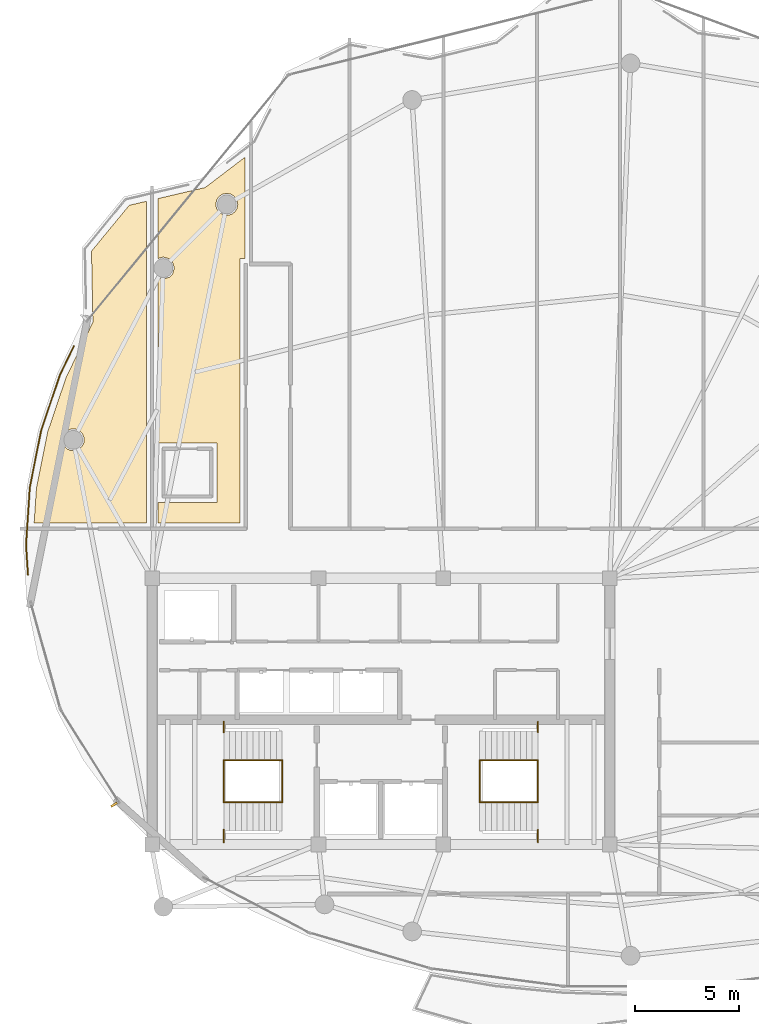
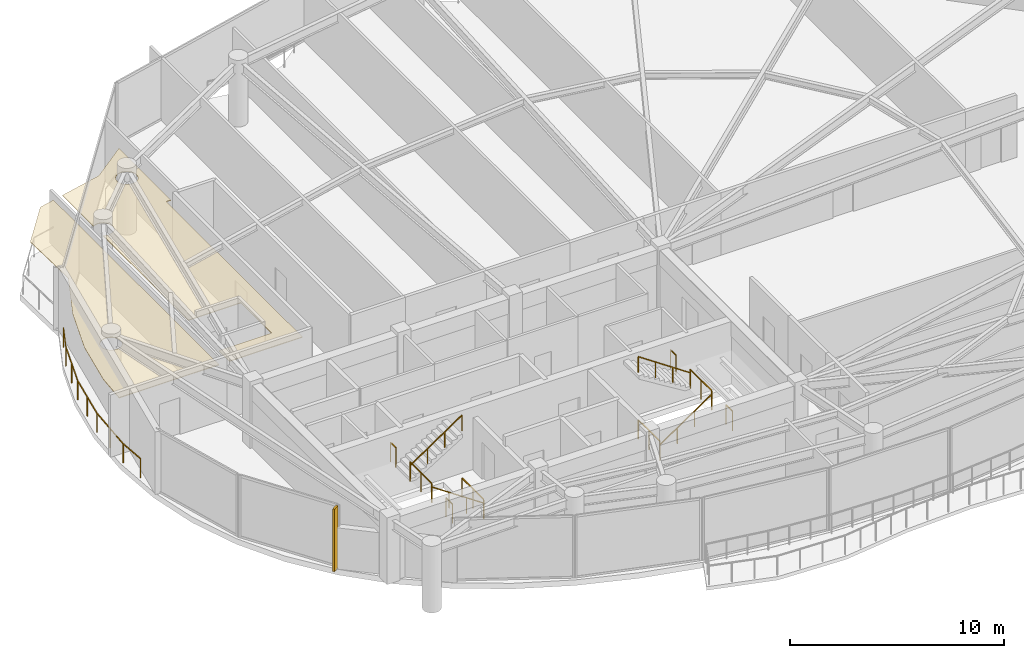
# One storey, part 27 of 29: 13 railings, 2 coverings, 1 shading device.
"""IFC4 building model written with IfcOpenShell, lengths in metres."""

from ifc_helpers import new_model, si_unit, direction, frame, origin, origin_2d, place, context, subcontext, project, spatial, polyline, rectangle, outline, extrude, material, layer, layer_set, type_object, element, save


model = new_model("IFC4")

# Units and contexts
model_context = context("Model", 3, precision=1e-05, world=origin(), true_north=direction((0.0, 1.0)))
body_context = subcontext(model_context, "Body", "Model", "MODEL_VIEW")
ifc_project = project(units=[si_unit("LENGTHUNIT", "METRE"), si_unit("AREAUNIT", "SQUARE_METRE"), si_unit("VOLUMEUNIT", "CUBIC_METRE"), si_unit("PLANEANGLEUNIT", "RADIAN"), si_unit("MASSUNIT", "GRAM", prefix="KILO")], contexts=[model_context])

# Site, building, storey
site_placement = place(None, origin())
site = spatial("IfcSite", under=ifc_project, at=site_placement, CompositionType="ELEMENT")
building_placement = place(site_placement, origin())
building = spatial("IfcBuilding", under=site, at=building_placement, Name="Kazevale Care Tower and Concert Hall", CompositionType="ELEMENT")
storey_placement = place(building_placement, frame((0.0, 0.0, 281.39990234375)))
storey = spatial("IfcBuildingStorey", under=building, at=storey_placement, Name="L74", CompositionType="ELEMENT", Elevation=281.39990234375)

# Coverings
ifc_material_1 = material(Name="Acoustic Plaster and Hinoki Wood", Category="wood")
ifc_layer = layer(ifc_material_1, 0.0400390625)
ifc_layer_set = layer_set([ifc_layer], Name="Acoustic Plaster and Hinoki Wood")
covering_type = type_object("IfcCoveringType", Name="Acoustic Perforated Wood-Gypsum Ceiling", PredefinedType="CEILING", material=ifc_layer_set)
covering_1_placement = place(storey_placement, frame((0.0, 0.0, 2.91015625)))
element("IfcCovering", 1, at=covering_1_placement, inside=storey, type_object=covering_type, Name="clg:L74:1", PredefinedType="CEILING", context=body_context, shape_type="SweptSolid", body=[
    extrude(outline(polyline([(16.97705078125, 43.422119140625), (17.864990234375, 46.049072265625), (19.154052734375, 48.701904296875), (19.087890625, 52.1240234375), (20.902099609375, 54.327880859375), (21.719970703125, 54.51904296875), (21.719970703125, 39.054931640625), (16.330078125, 39.054931640625), (16.44091796875, 40.72802734375), (16.97705078125, 43.422119140625)]), holes=[polyline([(18.72998046875, 43.153076171875), (18.65087890625, 43.343994140625), (18.50390625, 43.490966796875), (18.31298828125, 43.570068359375), (18.10693359375, 43.570068359375), (17.916015625, 43.490966796875), (17.76904296875, 43.343994140625), (17.68994140625, 43.153076171875), (17.68994140625, 42.947021484375), (17.76904296875, 42.756103515625), (17.916015625, 42.60888671875), (18.10693359375, 42.530029296875), (18.31298828125, 42.530029296875), (18.50390625, 42.60888671875), (18.65087890625, 42.756103515625), (18.72998046875, 42.947021484375), (18.72998046875, 43.153076171875)])]), origin(), (0.0, 0.0, 1.0), 0.0400390625),
])
covering_2_placement = place(storey_placement, frame((0.0, 0.0, 2.91015625)))
element("IfcCovering", 2, at=covering_2_placement, inside=storey, type_object=covering_type, Name="clg:L74:2", PredefinedType="CEILING", context=body_context, shape_type="SweptSolid", body=[
    extrude(outline(polyline([(25.1298828125, 42.905029296875), (22.280029296875, 42.905029296875), (22.280029296875, 50.85107421875), (22.5400390625, 50.780029296875), (22.833984375, 50.868896484375), (22.98095703125, 51.01611328125), (23.070068359375, 51.31005859375), (22.98095703125, 51.60400390625), (22.833984375, 51.7509765625), (22.5400390625, 51.840087890625), (22.280029296875, 51.76904296875), (22.280029296875, 54.64990234375), (24.552978515625, 55.180908203125), (26.469970703125, 56.64208984375), (26.469970703125, 51.780029296875), (26.219970703125, 51.780029296875), (26.219970703125, 39.054931640625), (22.280029296875, 39.054931640625), (22.280029296875, 40.044921875), (25.1298828125, 40.044921875), (25.1298828125, 42.905029296875)]), holes=[polyline([(26.080078125, 54.572998046875), (25.965087890625, 54.7451171875), (25.79296875, 54.860107421875), (25.590087890625, 54.89990234375), (25.386962890625, 54.860107421875), (25.215087890625, 54.7451171875), (25.10009765625, 54.572998046875), (25.06005859375, 54.3701171875), (25.10009765625, 54.1669921875), (25.215087890625, 53.9951171875), (25.386962890625, 53.8798828125), (25.590087890625, 53.840087890625), (25.79296875, 53.8798828125), (25.965087890625, 53.9951171875), (26.080078125, 54.1669921875), (26.1201171875, 54.3701171875), (26.080078125, 54.572998046875)])]), origin(), (0.0, 0.0, 1.0), 0.0400390625),
])

# Railings
ifc_material_2 = material(Name="Anodised Bronze Aluminium and Laminated Glass", Category="aluminium")
railing_type_1 = type_object("IfcRailingType", Name="Balcony and Terrace Balustrade 1120", PredefinedType="BALUSTRADE", material=ifc_material_2)
railing_1_placement = place(storey_placement, frame((16.035888671875, 36.556884765625, 0.0)))
element("IfcRailing", 3, at=railing_1_placement, inside=storey, type_object=railing_type_1, Name="rail:L74:perim:1", PredefinedType="BALUSTRADE", context=body_context, shape_type="SweptSolid", body=[
    extrude(rectangle(XDim=0.048095703125, YDim=0.048095703125, at=origin_2d()), frame((0.0, 0.0, 1.09619140625), z_axis=(-0.066339749167, 0.997797092439, 0.0), x_axis=(-0.997797092439, -0.066339749167, 0.0)), (0.0, 0.0, 1.0), 1.4462890625),
    extrude(rectangle(XDim=0.048095703125, YDim=0.048095703125, at=origin_2d()), frame((-0.095947265625, 1.443115234375, 1.09619140625), z_axis=(0.065958643417, 0.997822357616, 0.0), x_axis=(-0.997822357616, 0.065958643417, 0.0)), (0.0, 0.0, 1.0), 2.776123046875),
    extrude(rectangle(XDim=0.048095703125, YDim=0.048095703125, at=origin_2d()), frame((0.087158203125, 4.213134765625, 1.09619140625), z_axis=(0.195408959087, 0.980721845738, 0.0), x_axis=(-0.980721845738, 0.195408959087, 0.0)), (0.0, 0.0, 1.0), 2.78857421875),
    extrude(rectangle(XDim=0.048095703125, YDim=0.048095703125, at=origin_2d()), frame((0.632080078125, 6.947998046875, 1.09619140625), z_axis=(0.31989547797, 0.947452839552, 0.0), x_axis=(-0.947452839552, 0.31989547797, 0.0)), (0.0, 0.0, 1.0), 2.81396484375),
    extrude(rectangle(XDim=0.048095703125, YDim=0.048095703125, at=origin_2d()), frame((1.5322265625, 9.614013671875, 1.09619140625), z_axis=(0.436955052618, 0.899483341698, 0.0), x_axis=(-0.899483341698, 0.436955052618, 0.0)), (0.0, 0.0, 1.0), 1.546630859375),
    extrude(rectangle(XDim=0.0419921875, YDim=0.0419921875, at=origin_2d()), origin(), (0.0, 0.0, 1.0), 1.072021484375),
    extrude(rectangle(XDim=0.0419921875, YDim=0.0419921875, at=origin_2d()), frame((-0.095947265625, 1.443115234375, 0.0)), (0.0, 0.0, 1.0), 1.072021484375),
    extrude(rectangle(XDim=0.0419921875, YDim=0.0419921875, at=origin_2d()), frame((-0.00439453125, 2.828125, 0.0)), (0.0, 0.0, 1.0), 1.072021484375),
    extrude(rectangle(XDim=0.0419921875, YDim=0.0419921875, at=origin_2d()), frame((0.087158203125, 4.213134765625, 0.0)), (0.0, 0.0, 1.0), 1.072021484375),
    extrude(rectangle(XDim=0.0419921875, YDim=0.0419921875, at=origin_2d()), frame((0.359619140625, 5.58056640625, 0.0)), (0.0, 0.0, 1.0), 1.072021484375),
    extrude(rectangle(XDim=0.0419921875, YDim=0.0419921875, at=origin_2d()), frame((0.632080078125, 6.947998046875, 0.0)), (0.0, 0.0, 1.0), 1.072021484375),
    extrude(rectangle(XDim=0.0419921875, YDim=0.0419921875, at=origin_2d()), frame((1.08203125, 8.281005859375, 0.0)), (0.0, 0.0, 1.0), 1.072021484375),
    extrude(rectangle(XDim=0.0419921875, YDim=0.0419921875, at=origin_2d()), frame((1.5322265625, 9.614013671875, 0.0)), (0.0, 0.0, 1.0), 1.072021484375),
    extrude(rectangle(XDim=0.0419921875, YDim=0.0419921875, at=origin_2d()), frame((2.2080078125, 11.005126953125, 0.0)), (0.0, 0.0, 1.0), 1.072021484375),
])
ifc_material_3 = material(Name="Stainless Steel 316", Category="steel")
railing_type_2 = type_object("IfcRailingType", Name="Stair Pitch Handrail 920", PredefinedType="HANDRAIL", material=ifc_material_3)
railing_2_placement = place(storey_placement, frame((28.25, 25.639892578125, 0.0)))
element("IfcRailing", 4, at=railing_2_placement, inside=storey, type_object=railing_type_2, Name="stair:L74:ST1:hr1", PredefinedType="HANDRAIL", context=body_context, shape_type="SweptSolid", body=[
    extrude(rectangle(XDim=0.048095703125, YDim=0.048095703125, at=origin_2d()), frame((0.0, 0.0, 0.89599609375), z_axis=(-0.827460210367, 0.0, 0.56152435411), x_axis=(0.0, -1.0, 0.0)), (0.0, 0.0, 1.0), 3.3837890625),
    extrude(rectangle(XDim=0.0419921875, YDim=0.0419921875, at=origin_2d()), origin(), (0.0, 0.0, 1.0), 0.871826171875),
    extrude(rectangle(XDim=0.0419921875, YDim=0.0419921875, at=origin_2d()), frame((-0.933349609375, 0.0, 0.63330078125)), (0.0, 0.0, 1.0), 0.871826171875),
    extrude(rectangle(XDim=0.0419921875, YDim=0.0419921875, at=origin_2d()), frame((-1.86669921875, 0.0, 1.266845703125)), (0.0, 0.0, 1.0), 0.871826171875),
    extrude(rectangle(XDim=0.0419921875, YDim=0.0419921875, at=origin_2d()), frame((-2.800048828125, 0.0, 1.900146484375)), (0.0, 0.0, 1.0), 0.871826171875),
])
railing_3_placement = place(storey_placement, frame((25.449951171875, 27.659912109375, 1.900146484375)))
element("IfcRailing", 5, at=railing_3_placement, inside=storey, type_object=railing_type_2, Name="stair:L74:ST1:hr2", PredefinedType="HANDRAIL", context=body_context, shape_type="SweptSolid", body=[
    extrude(rectangle(XDim=0.048095703125, YDim=0.048095703125, at=origin_2d()), frame((0.0, 0.0, 0.89599609375), z_axis=(0.827493732819, 0.0, 0.561474952376), x_axis=(0.0, 1.0, 0.0)), (0.0, 0.0, 1.0), 3.3837890625),
    extrude(rectangle(XDim=0.0419921875, YDim=0.0419921875, at=origin_2d()), origin(), (0.0, 0.0, 1.0), 0.871826171875),
    extrude(rectangle(XDim=0.0419921875, YDim=0.0419921875, at=origin_2d()), frame((0.933349609375, 0.0, 0.63330078125)), (0.0, 0.0, 1.0), 0.871826171875),
    extrude(rectangle(XDim=0.0419921875, YDim=0.0419921875, at=origin_2d()), frame((1.86669921875, 0.0, 1.2666015625)), (0.0, 0.0, 1.0), 0.871826171875),
    extrude(rectangle(XDim=0.0419921875, YDim=0.0419921875, at=origin_2d()), frame((2.800048828125, 0.0, 1.89990234375)), (0.0, 0.0, 1.0), 0.871826171875),
])
railing_4_placement = place(storey_placement, frame((37.75, 25.639892578125, 0.0)))
element("IfcRailing", 6, at=railing_4_placement, inside=storey, type_object=railing_type_2, Name="stair:L74:ST2:hr1", PredefinedType="HANDRAIL", context=body_context, shape_type="SweptSolid", body=[
    extrude(rectangle(XDim=0.048095703125, YDim=0.048095703125, at=origin_2d()), frame((0.0, 0.0, 0.89599609375), z_axis=(0.827460210367, 0.0, 0.56152435411), x_axis=(0.0, 1.0, 0.0)), (0.0, 0.0, 1.0), 3.3837890625),
    extrude(rectangle(XDim=0.0419921875, YDim=0.0419921875, at=origin_2d()), origin(), (0.0, 0.0, 1.0), 0.871826171875),
    extrude(rectangle(XDim=0.0419921875, YDim=0.0419921875, at=origin_2d()), frame((0.933349609375, 0.0, 0.63330078125)), (0.0, 0.0, 1.0), 0.871826171875),
    extrude(rectangle(XDim=0.0419921875, YDim=0.0419921875, at=origin_2d()), frame((1.86669921875, 0.0, 1.266845703125)), (0.0, 0.0, 1.0), 0.871826171875),
    extrude(rectangle(XDim=0.0419921875, YDim=0.0419921875, at=origin_2d()), frame((2.800048828125, 0.0, 1.900146484375)), (0.0, 0.0, 1.0), 0.871826171875),
])
railing_5_placement = place(storey_placement, frame((40.550048828125, 27.659912109375, 1.900146484375)))
element("IfcRailing", 7, at=railing_5_placement, inside=storey, type_object=railing_type_2, Name="stair:L74:ST2:hr2", PredefinedType="HANDRAIL", context=body_context, shape_type="SweptSolid", body=[
    extrude(rectangle(XDim=0.048095703125, YDim=0.048095703125, at=origin_2d()), frame((0.0, 0.0, 0.89599609375), z_axis=(-0.827493732819, 0.0, 0.561474952376), x_axis=(0.0, -1.0, 0.0)), (0.0, 0.0, 1.0), 3.3837890625),
    extrude(rectangle(XDim=0.0419921875, YDim=0.0419921875, at=origin_2d()), origin(), (0.0, 0.0, 1.0), 0.871826171875),
    extrude(rectangle(XDim=0.0419921875, YDim=0.0419921875, at=origin_2d()), frame((-0.933349609375, 0.0, 0.63330078125)), (0.0, 0.0, 1.0), 0.871826171875),
    extrude(rectangle(XDim=0.0419921875, YDim=0.0419921875, at=origin_2d()), frame((-1.86669921875, 0.0, 1.2666015625)), (0.0, 0.0, 1.0), 0.871826171875),
    extrude(rectangle(XDim=0.0419921875, YDim=0.0419921875, at=origin_2d()), frame((-2.800048828125, 0.0, 1.89990234375)), (0.0, 0.0, 1.0), 0.871826171875),
])
railing_type_3 = type_object("IfcRailingType", Name="Stair Well Guard Balustrade 1120", PredefinedType="BALUSTRADE", material=ifc_material_3)
railing_6_placement = place(storey_placement, frame((25.449951171875, 23.699951171875, 1.900146484375)))
element("IfcRailing", 8, at=railing_6_placement, inside=storey, type_object=railing_type_3, Name="stair:L74:ST1:grd_side1", PredefinedType="BALUSTRADE", context=body_context, shape_type="SweptSolid", body=[
    extrude(rectangle(XDim=0.048095703125, YDim=0.048095703125, at=origin_2d()), frame((0.0, 0.0, 1.09619140625), z_axis=(0.0, 1.0, 0.0), x_axis=(-1.0, 0.0, 0.0)), (0.0, 0.0, 1.0), 0.610107421875),
    extrude(rectangle(XDim=0.0419921875, YDim=0.0419921875, at=origin_2d()), origin(), (0.0, 0.0, 1.0), 1.072021484375),
    extrude(rectangle(XDim=0.0419921875, YDim=0.0419921875, at=origin_2d()), frame((0.0, 0.610107421875, 0.0)), (0.0, 0.0, 1.0), 1.072021484375),
])
railing_7_placement = place(storey_placement, frame((25.449951171875, 28.989990234375, 1.900146484375)))
element("IfcRailing", 9, at=railing_7_placement, inside=storey, type_object=railing_type_3, Name="stair:L74:ST1:grd_side2", PredefinedType="BALUSTRADE", context=body_context, shape_type="SweptSolid", body=[
    extrude(rectangle(XDim=0.048095703125, YDim=0.048095703125, at=origin_2d()), frame((0.0, 0.0, 1.09619140625), z_axis=(0.0, 1.0, 0.0), x_axis=(-1.0, 0.0, 0.0)), (0.0, 0.0, 1.0), 0.510009765625),
    extrude(rectangle(XDim=0.0419921875, YDim=0.0419921875, at=origin_2d()), origin(), (0.0, 0.0, 1.0), 1.072021484375),
    extrude(rectangle(XDim=0.0419921875, YDim=0.0419921875, at=origin_2d()), frame((0.0, 0.510009765625, 0.0)), (0.0, 0.0, 1.0), 1.072021484375),
])
for number, where, name in (
    (10, (25.449951171875, 25.639892578125, 1.900146484375), "stair:L74:ST1:grd_mid"),
    (11, (28.25, 25.639892578125, 0.0), "stair:L74:ST1:grd_flr"),
):
    element("IfcRailing", number, at=place(storey_placement, frame(where)), inside=storey, type_object=railing_type_3, Name=name, PredefinedType="BALUSTRADE", context=body_context, shape_type="SweptSolid", body=[
        extrude(rectangle(XDim=0.048095703125, YDim=0.048095703125, at=origin_2d()), frame((0.0, 0.0, 1.09619140625), z_axis=(0.0, 1.0, 0.0), x_axis=(-1.0, 0.0, 0.0)), (0.0, 0.0, 1.0), 2.02001953125),
        extrude(rectangle(XDim=0.0419921875, YDim=0.0419921875, at=origin_2d()), origin(), (0.0, 0.0, 1.0), 1.072021484375),
        extrude(rectangle(XDim=0.0419921875, YDim=0.0419921875, at=origin_2d()), frame((0.0, 1.010009765625, 0.0)), (0.0, 0.0, 1.0), 1.072021484375),
        extrude(rectangle(XDim=0.0419921875, YDim=0.0419921875, at=origin_2d()), frame((0.0, 2.02001953125, 0.0)), (0.0, 0.0, 1.0), 1.072021484375),
    ])
railing_8_placement = place(storey_placement, frame((40.550048828125, 23.699951171875, 1.900146484375)))
element("IfcRailing", 12, at=railing_8_placement, inside=storey, type_object=railing_type_3, Name="stair:L74:ST2:grd_side1", PredefinedType="BALUSTRADE", context=body_context, shape_type="SweptSolid", body=[
    extrude(rectangle(XDim=0.048095703125, YDim=0.048095703125, at=origin_2d()), frame((0.0, 0.0, 1.09619140625), z_axis=(0.0, 1.0, 0.0), x_axis=(-1.0, 0.0, 0.0)), (0.0, 0.0, 1.0), 0.610107421875),
    extrude(rectangle(XDim=0.0419921875, YDim=0.0419921875, at=origin_2d()), origin(), (0.0, 0.0, 1.0), 1.072021484375),
    extrude(rectangle(XDim=0.0419921875, YDim=0.0419921875, at=origin_2d()), frame((0.0, 0.610107421875, 0.0)), (0.0, 0.0, 1.0), 1.072021484375),
])
railing_9_placement = place(storey_placement, frame((40.550048828125, 28.989990234375, 1.900146484375)))
element("IfcRailing", 13, at=railing_9_placement, inside=storey, type_object=railing_type_3, Name="stair:L74:ST2:grd_side2", PredefinedType="BALUSTRADE", context=body_context, shape_type="SweptSolid", body=[
    extrude(rectangle(XDim=0.048095703125, YDim=0.048095703125, at=origin_2d()), frame((0.0, 0.0, 1.09619140625), z_axis=(0.0, 1.0, 0.0), x_axis=(-1.0, 0.0, 0.0)), (0.0, 0.0, 1.0), 0.510009765625),
    extrude(rectangle(XDim=0.0419921875, YDim=0.0419921875, at=origin_2d()), origin(), (0.0, 0.0, 1.0), 1.072021484375),
    extrude(rectangle(XDim=0.0419921875, YDim=0.0419921875, at=origin_2d()), frame((0.0, 0.510009765625, 0.0)), (0.0, 0.0, 1.0), 1.072021484375),
])
for number, where, name in (
    (14, (40.550048828125, 25.639892578125, 1.900146484375), "stair:L74:ST2:grd_mid"),
    (15, (37.75, 25.639892578125, 0.0), "stair:L74:ST2:grd_flr"),
):
    element("IfcRailing", number, at=place(storey_placement, frame(where)), inside=storey, type_object=railing_type_3, Name=name, PredefinedType="BALUSTRADE", context=body_context, shape_type="SweptSolid", body=[
        extrude(rectangle(XDim=0.048095703125, YDim=0.048095703125, at=origin_2d()), frame((0.0, 0.0, 1.09619140625), z_axis=(0.0, 1.0, 0.0), x_axis=(-1.0, 0.0, 0.0)), (0.0, 0.0, 1.0), 2.02001953125),
        extrude(rectangle(XDim=0.0419921875, YDim=0.0419921875, at=origin_2d()), origin(), (0.0, 0.0, 1.0), 1.072021484375),
        extrude(rectangle(XDim=0.0419921875, YDim=0.0419921875, at=origin_2d()), frame((0.0, 1.010009765625, 0.0)), (0.0, 0.0, 1.0), 1.072021484375),
        extrude(rectangle(XDim=0.0419921875, YDim=0.0419921875, at=origin_2d()), frame((0.0, 2.02001953125, 0.0)), (0.0, 0.0, 1.0), 1.072021484375),
    ])

# Shading device
ifc_material_4 = material(Name="Anodised Bronze Aluminium", Category="aluminium")
shading_device_type = type_object("IfcShadingDeviceType", Name="Waist Anodised Bronze-Stone Fin FIN-02", PredefinedType="USERDEFINED", material=ifc_material_4)
shading_device_placement = place(storey_placement, frame((20.175048828125, 25.5146484375, 0.0), z_axis=(0.0, 0.0, 1.0), x_axis=(-0.846657866138, -0.532137630417, 0.0)))
element("IfcShadingDevice", 16, at=shading_device_placement, inside=storey, type_object=shading_device_type, Name="cw:L74:f11:fin", ObjectType="FIN", PredefinedType="USERDEFINED", context=body_context, shape_type="SweptSolid", body=[
    extrude(rectangle(XDim=0.340087890625, YDim=0.10009765625, at=origin_2d()), origin(), (0.0, 0.0, 1.0), 3.56005859375),
])

save(model, "model.ifc")
